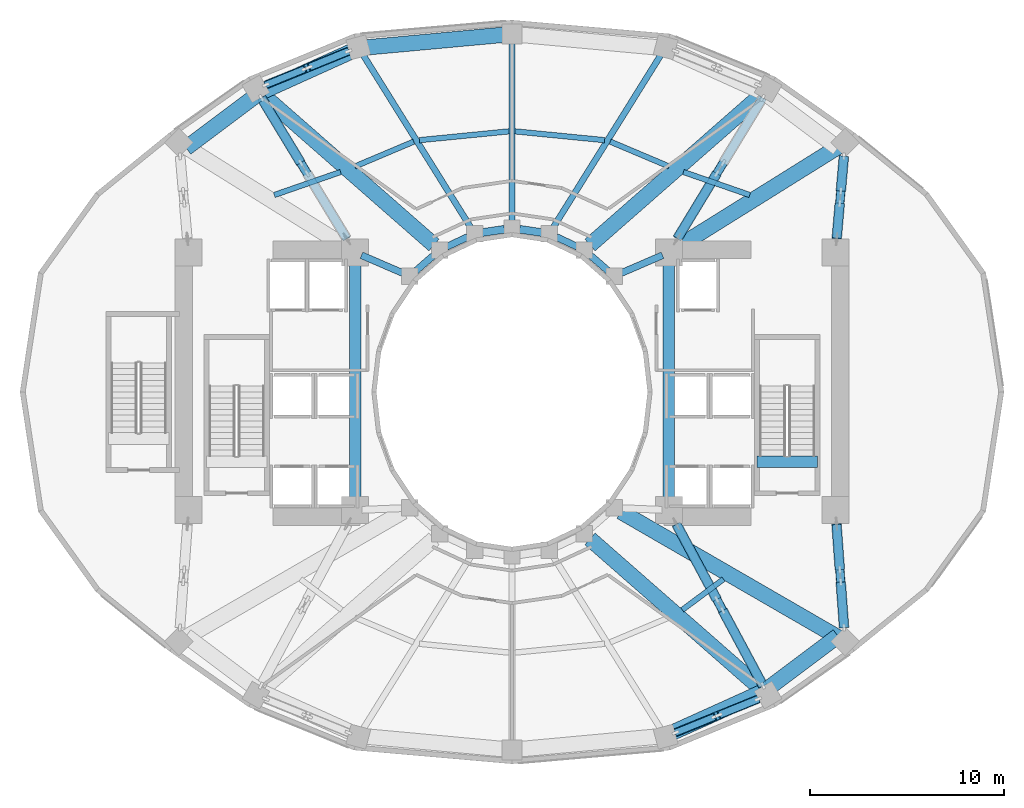
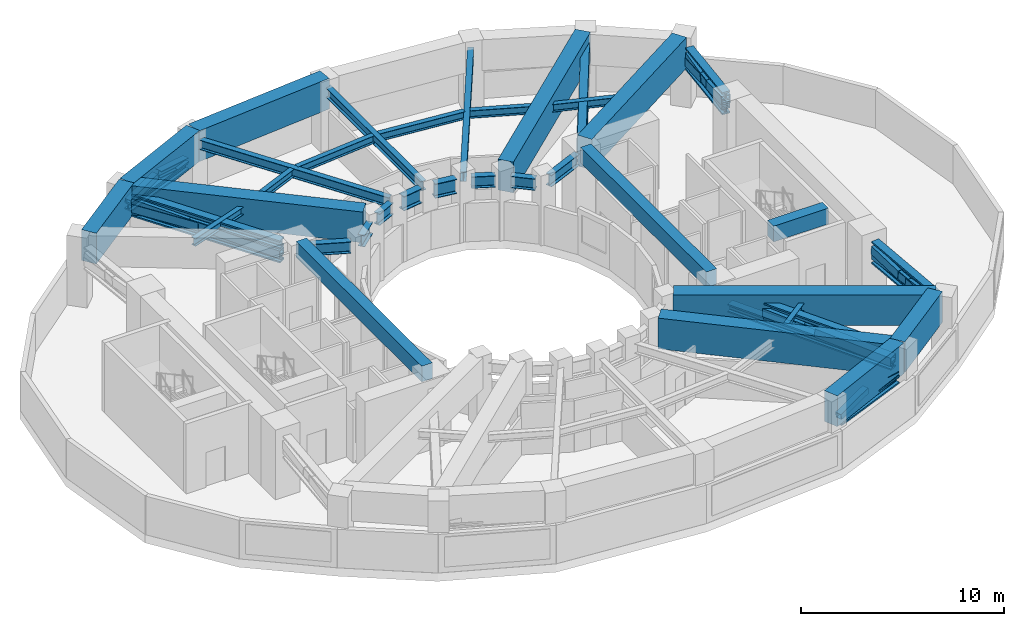
# One storey, part 2 of 10: 43 beams, 17 members.
"""IFC4 building model written with IfcOpenShell, lengths in metres."""

from ifc_helpers import new_model, si_unit, direction, frame, origin, origin_2d, place, context, subcontext, project, spatial, rectangle, hollow_rectangle, i_section, extrude, material, material_profile, profile_set, type_object, element, save


model = new_model("IFC4")

# Units and contexts
model_context = context("Model", 3, precision=1e-05, world=origin(), true_north=direction((0.0, 1.0)))
body_context = subcontext(model_context, "Body", "Model", "MODEL_VIEW")
ifc_project = project(units=[si_unit("LENGTHUNIT", "METRE"), si_unit("AREAUNIT", "SQUARE_METRE"), si_unit("VOLUMEUNIT", "CUBIC_METRE"), si_unit("PLANEANGLEUNIT", "RADIAN"), si_unit("MASSUNIT", "GRAM", prefix="KILO")], contexts=[model_context])

# Site, building, storey
site_placement = place(None, origin())
site = spatial("IfcSite", under=ifc_project, at=site_placement, CompositionType="ELEMENT")
building_placement = place(site_placement, origin())
building = spatial("IfcBuilding", under=site, at=building_placement, Name="Solvane Sanctuary Tower", CompositionType="ELEMENT")
storey_placement = place(building_placement, frame((0.0, 0.0, 64.800048828125)))
storey = spatial("IfcBuildingStorey", under=building, at=storey_placement, Name="L19", CompositionType="ELEMENT", Elevation=64.800048828125)

# Beams
ifc_material_1 = material(Name="Steel ASTM A913 Grade 65", Category="steel")
ifc_material_profile_1 = material_profile(ifc_material_1, i_section(OverallWidth=0.403076171875, OverallDepth=0.867919921875, WebThickness=0.02099609375, FlangeThickness=0.03564453125, FilletRadius=0.02197265625, at=origin_2d()), Name="W33X241")
ifc_profile_set_1 = profile_set([ifc_material_profile_1], Name="Steel ASTM A913 Grade 65")
beam_type_1 = type_object("IfcBeamType", Name="Beam B-BELT-CH W33X241", PredefinedType="BEAM", material=ifc_profile_set_1)
for number, where, z_axis, x_axis, name in (
    (1, (30.4599609375, 31.22998046875, 3.263916015625), (0.989034751611, 0.147682971619, 0.0), (-0.147682971619, 0.989034751611, 0.0), "L19 Inner Belt Chord IC05-IC04"),
    (2, (32.390625, 31.401611328125, 3.263916015625), (0.989034751611, -0.147682971619, 0.0), (0.147682971619, 0.989034751611, 0.0), "L19 Inner Belt Chord IC04-IC03"),
):
    element("IfcBeam", number, at=place(storey_placement, frame(where, z_axis=z_axis, x_axis=x_axis)), inside=storey, type_object=beam_type_1, Name=name, PredefinedType="BEAM", context=body_context, shape_type="SweptSolid", body=[
        extrude(i_section(OverallWidth=0.403076171875, OverallDepth=0.867919921875, WebThickness=0.02099609375, FlangeThickness=0.03564453125, FilletRadius=0.02197265625, at=origin_2d()), origin(), (0.0, 0.0, 1.0), 1.162109375),
    ])
ifc_material_2 = material(Name="Concrete C70/85", Category="concrete")
ifc_material_profile_2 = material_profile(ifc_material_2, rectangle(XDim=0.60009765625, YDim=0.949951171875, at=origin_2d()), Name="RC600X950")
ifc_profile_set_2 = profile_set([ifc_material_profile_2], Name="Concrete C70/85")
beam_type_2 = type_object("IfcBeamType", Name="Beam B-COUPLE RC600X950", PredefinedType="LINTEL", material=ifc_profile_set_2)
for number, where, z_axis, x_axis, name in (
    (3, (23.89990234375, 17.35009765625, 3.724853515625), (0.0, 1.0, 0.0), (-1.0, 0.0, 0.0), "L19 West Core Coupling Lintel"),
    (4, (40.10009765625, 17.35009765625, 3.724853515625), (0.0, 1.0, 0.0), (-1.0, 0.0, 0.0), "L19 East Core Coupling Lintel"),
):
    element("IfcBeam", number, at=place(storey_placement, frame(where, z_axis=z_axis, x_axis=x_axis)), inside=storey, type_object=beam_type_2, Name=name, PredefinedType="LINTEL", context=body_context, shape_type="SweptSolid", body=[
        extrude(rectangle(XDim=0.60009765625, YDim=0.949951171875, at=origin_2d()), origin(), (0.0, 0.0, 1.0), 12.39990234375),
    ])
beam_1_placement = place(storey_placement, frame((44.64990234375, 19.399169921875, 3.724853515625), z_axis=(1.0, 0.0, 0.0), x_axis=(0.0, 1.0, 0.0)))
element("IfcBeam", 5, at=beam_1_placement, inside=storey, type_object=beam_type_2, Name="L19 ST-2 Stair Floor Landing Trimmer", PredefinedType="LINTEL", context=body_context, shape_type="SweptSolid", body=[
    extrude(rectangle(XDim=0.60009765625, YDim=0.949951171875, at=origin_2d()), origin(), (0.0, 0.0, 1.0), 3.1201171875),
])
ifc_material_profile_3 = material_profile(ifc_material_1, i_section(OverallWidth=0.431884765625, OverallDepth=0.498046875, WebThickness=0.0556640625, FlangeThickness=0.0888671875, FilletRadius=0.02490234375, at=origin_2d()), Name="W14X500")
ifc_profile_set_3 = profile_set([ifc_material_profile_3], Name="Steel ASTM A913 Grade 65")
beam_type_3 = type_object("IfcBeamType", Name="Beam B-OUTR-CH W14X500", PredefinedType="BEAM", material=ifc_profile_set_3)
for number, where, z_axis, x_axis, name in (
    (6, (23.470458984375, 30.90869140625, 3.448974609375), (-0.518458029934, 0.855103076358, 0.0), (-0.855103076358, -0.518458029934, 0.0), "L19 Outrigger Top Chord OW2"),
    (7, (23.470458984375, 30.90869140625, 2.60986328125), (-0.518458029934, 0.855103076358, 0.0), (-0.855103076358, -0.518458029934, 0.0), "L19 Outrigger Bottom Chord OW2"),
):
    element("IfcBeam", number, at=place(storey_placement, frame(where, z_axis=z_axis, x_axis=x_axis)), inside=storey, type_object=beam_type_3, Name=name, PredefinedType="BEAM", context=body_context, shape_type="SweptSolid", body=[
        extrude(i_section(OverallWidth=0.431884765625, OverallDepth=0.498046875, WebThickness=0.0556640625, FlangeThickness=0.0888671875, FilletRadius=0.02490234375, at=origin_2d()), origin(), (0.0, 0.0, 1.0), 8.5146484375),
    ])
for number, where, z_axis, x_axis, name in (
    (8, (48.761962890625, 30.909912109375, 3.448974609375), (0.086870351336, 0.996219625413, 0.0), (-0.996219625413, 0.086870351336, 0.0), "L19 Outrigger Top Chord OE1"),
    (9, (48.761962890625, 30.909912109375, 2.60986328125), (0.086870351336, 0.996219625413, 0.0), (-0.996219625413, 0.086870351336, 0.0), "L19 Outrigger Bottom Chord OE1"),
):
    element("IfcBeam", number, at=place(storey_placement, frame(where, z_axis=z_axis, x_axis=x_axis)), inside=storey, type_object=beam_type_3, Name=name, PredefinedType="BEAM", context=body_context, shape_type="SweptSolid", body=[
        extrude(i_section(OverallWidth=0.431884765625, OverallDepth=0.498046875, WebThickness=0.0556640625, FlangeThickness=0.0888671875, FilletRadius=0.02490234375, at=origin_2d()), origin(), (0.0, 0.0, 1.0), 4.28857421875),
    ])
for number, where, z_axis, x_axis, name in (
    (10, (40.529541015625, 30.90869140625, 3.448974609375), (0.518458029934, 0.855103076358, 0.0), (-0.855103076358, 0.518458029934, 0.0), "L19 Outrigger Top Chord OE2"),
    (11, (40.529541015625, 30.90869140625, 2.60986328125), (0.518458029934, 0.855103076358, 0.0), (-0.855103076358, 0.518458029934, 0.0), "L19 Outrigger Bottom Chord OE2"),
):
    element("IfcBeam", number, at=place(storey_placement, frame(where, z_axis=z_axis, x_axis=x_axis)), inside=storey, type_object=beam_type_3, Name=name, PredefinedType="BEAM", context=body_context, shape_type="SweptSolid", body=[
        extrude(i_section(OverallWidth=0.431884765625, OverallDepth=0.498046875, WebThickness=0.0556640625, FlangeThickness=0.0888671875, FilletRadius=0.02490234375, at=origin_2d()), origin(), (0.0, 0.0, 1.0), 8.5146484375),
    ])
for number, where, z_axis, x_axis, name in (
    (12, (48.751953125, 16.18994140625, 3.448974609375), (0.072821438964, -0.997344994486, 0.0), (0.997344994486, 0.072821438964, 0.0), "L19 Outrigger Top Chord OE3"),
    (13, (48.751953125, 16.18994140625, 2.60986328125), (0.072821438964, -0.997344994486, 0.0), (0.997344994486, 0.072821438964, 0.0), "L19 Outrigger Bottom Chord OE3"),
):
    element("IfcBeam", number, at=place(storey_placement, frame(where, z_axis=z_axis, x_axis=x_axis)), inside=storey, type_object=beam_type_3, Name=name, PredefinedType="BEAM", context=body_context, shape_type="SweptSolid", body=[
        extrude(i_section(OverallWidth=0.431884765625, OverallDepth=0.498046875, WebThickness=0.0556640625, FlangeThickness=0.0888671875, FilletRadius=0.02490234375, at=origin_2d()), origin(), (0.0, 0.0, 1.0), 5.37744140625),
    ])
for number, where, z_axis, x_axis, name in (
    (14, (40.480224609375, 16.191162109375, 3.448974609375), (0.472722258165, -0.881211476682, 0.0), (0.881211476682, 0.472722258165, 0.0), "L19 Outrigger Top Chord OE4"),
    (15, (40.480224609375, 16.191162109375, 2.60986328125), (0.472722258165, -0.881211476682, 0.0), (0.881211476682, 0.472722258165, 0.0), "L19 Outrigger Bottom Chord OE4"),
):
    element("IfcBeam", number, at=place(storey_placement, frame(where, z_axis=z_axis, x_axis=x_axis)), inside=storey, type_object=beam_type_3, Name=name, PredefinedType="BEAM", context=body_context, shape_type="SweptSolid", body=[
        extrude(i_section(OverallWidth=0.431884765625, OverallDepth=0.498046875, WebThickness=0.0556640625, FlangeThickness=0.0888671875, FilletRadius=0.02490234375, at=origin_2d()), origin(), (0.0, 0.0, 1.0), 9.49462890625),
    ])
for number, where, z_axis, x_axis, name in (
    (16, (19.27880859375, 38.8505859375, 2.300048828125), (0.926448767062, 0.37642088413, 0.0), (-0.37642088413, 0.926448767062, 0.0), "L19 Belt Truss Bottom Chord 06-05"),
    (17, (40.430908203125, 5.40625, 2.300048828125), (0.926448767062, 0.37642088413, 0.0), (-0.37642088413, 0.926448767062, 0.0), "L19 Belt Truss Bottom Chord 12-13"),
):
    element("IfcBeam", number, at=place(storey_placement, frame(where, z_axis=z_axis, x_axis=x_axis)), inside=storey, type_object=beam_type_3, Name=name, PredefinedType="BEAM", context=body_context, shape_type="SweptSolid", body=[
        extrude(i_section(OverallWidth=0.431884765625, OverallDepth=0.498046875, WebThickness=0.0556640625, FlangeThickness=0.0888671875, FilletRadius=0.02490234375, at=origin_2d()), origin(), (0.0, 0.0, 1.0), 4.630859375),
    ])
ifc_material_3 = material(Name="Steel ASTM A992 Grade 50", Category="steel")
ifc_material_profile_4 = material_profile(ifc_material_3, i_section(OverallWidth=0.31494140625, OverallDepth=0.575927734375, WebThickness=0.01513671875, FlangeThickness=0.0244140625, FilletRadius=0.014892578125, at=origin_2d()), Name="W21X122")
ifc_profile_set_4 = profile_set([ifc_material_profile_4], Name="Steel ASTM A992 Grade 50")
beam_type_4 = type_object("IfcBeamType", Name="Beam B-RAD-Z2 W21X122", PredefinedType="BEAM", material=ifc_profile_set_4)
beam_2_placement = place(storey_placement, frame((34.078857421875, 31.4091796875, 3.409912109375), z_axis=(0.529058325657, 0.848585463022, 0.0), x_axis=(-0.848585463022, 0.529058325657, 0.0)))
element("IfcBeam", 18, at=beam_2_placement, inside=storey, type_object=beam_type_4, Name="L19 Radial Composite Floor Beam 03", PredefinedType="BEAM", context=body_context, shape_type="SweptSolid", body=[
    extrude(i_section(OverallWidth=0.31494140625, OverallDepth=0.575927734375, WebThickness=0.01513671875, FlangeThickness=0.0244140625, FilletRadius=0.014892578125, at=origin_2d()), origin(), (0.0, 0.0, 1.0), 10.782470703125),
])
beam_3_placement = place(storey_placement, frame((32.0, 31.739990234375, 3.409912109375), z_axis=(0.0, 1.0, 0.0), x_axis=(-1.0, 0.0, 0.0)))
element("IfcBeam", 19, at=beam_3_placement, inside=storey, type_object=beam_type_4, Name="L19 Radial Composite Floor Beam 04", PredefinedType="BEAM", context=body_context, shape_type="SweptSolid", body=[
    extrude(i_section(OverallWidth=0.31494140625, OverallDepth=0.575927734375, WebThickness=0.01513671875, FlangeThickness=0.0244140625, FilletRadius=0.014892578125, at=origin_2d()), origin(), (0.0, 0.0, 1.0), 9.4599609375),
])
beam_4_placement = place(storey_placement, frame((29.921142578125, 31.4091796875, 3.409912109375), z_axis=(-0.529058325657, 0.848585463022, 0.0), x_axis=(-0.848585463022, -0.529058325657, 0.0)))
element("IfcBeam", 20, at=beam_4_placement, inside=storey, type_object=beam_type_4, Name="L19 Radial Composite Floor Beam 05", PredefinedType="BEAM", context=body_context, shape_type="SweptSolid", body=[
    extrude(i_section(OverallWidth=0.31494140625, OverallDepth=0.575927734375, WebThickness=0.01513671875, FlangeThickness=0.0244140625, FilletRadius=0.014892578125, at=origin_2d()), origin(), (0.0, 0.0, 1.0), 10.782470703125),
])
ifc_material_profile_5 = material_profile(ifc_material_3, i_section(OverallWidth=0.35498046875, OverallDepth=0.695068359375, WebThickness=0.015380859375, FlangeThickness=0.02490234375, FilletRadius=0.01806640625, at=origin_2d()), Name="W27X146")
ifc_profile_set_5 = profile_set([ifc_material_profile_5], Name="Steel ASTM A992 Grade 50")
beam_type_5 = type_object("IfcBeamType", Name="Beam B-RING-IN1 W27X146", PredefinedType="BEAM", material=ifc_profile_set_5)
beam_5_placement = place(storey_placement, frame((24.230712890625, 30.0576171875, 3.350341796875), z_axis=(0.918261456479, -0.3959746173, 0.0), x_axis=(0.3959746173, 0.918261456479, 0.0)))
element("IfcBeam", 21, at=beam_5_placement, inside=storey, type_object=beam_type_5, Name="L19 Inner Light-Well Ring Beam CW3-IC07", PredefinedType="BEAM", context=body_context, shape_type="SweptSolid", body=[
    extrude(i_section(OverallWidth=0.35498046875, OverallDepth=0.695068359375, WebThickness=0.015380859375, FlangeThickness=0.02490234375, FilletRadius=0.01806640625, at=origin_2d()), origin(), (0.0, 0.0, 1.0), 2.3212890625),
])
beam_6_placement = place(storey_placement, frame((27.02294921875, 29.241455078125, 3.350341796875), z_axis=(0.754317177099, 0.656510164684, 0.0), x_axis=(-0.656510164684, 0.754317177099, 0.0)))
element("IfcBeam", 22, at=beam_6_placement, inside=storey, type_object=beam_type_5, Name="L19 Inner Light-Well Ring Beam IC07-IC06", PredefinedType="BEAM", context=body_context, shape_type="SweptSolid", body=[
    extrude(i_section(OverallWidth=0.35498046875, OverallDepth=0.695068359375, WebThickness=0.015380859375, FlangeThickness=0.02490234375, FilletRadius=0.01806640625, at=origin_2d()), origin(), (0.0, 0.0, 1.0), 1.258056640625),
])
for number, where, z_axis, x_axis, name in (
    (23, (28.62744140625, 30.494384765625, 3.350341796875), (0.905044882818, 0.425316070804, 0.0), (-0.425316070804, 0.905044882818, 0.0), "L19 Inner Light-Well Ring Beam IC06-IC05"),
    (24, (34.288330078125, 31.00390625, 3.350341796875), (0.905044882818, -0.425316070804, 0.0), (0.425316070804, 0.905044882818, 0.0), "L19 Inner Light-Well Ring Beam IC03-IC02"),
):
    element("IfcBeam", number, at=place(storey_placement, frame(where, z_axis=z_axis, x_axis=x_axis)), inside=storey, type_object=beam_type_5, Name=name, PredefinedType="BEAM", context=body_context, shape_type="SweptSolid", body=[
        extrude(i_section(OverallWidth=0.35498046875, OverallDepth=0.695068359375, WebThickness=0.015380859375, FlangeThickness=0.02490234375, FilletRadius=0.01806640625, at=origin_2d()), origin(), (0.0, 0.0, 1.0), 1.197998046875),
    ])
beam_7_placement = place(storey_placement, frame((36.028076171875, 30.0673828125, 3.350341796875), z_axis=(0.754317177099, -0.656510164684, 0.0), x_axis=(0.656510164684, 0.754317177099, 0.0)))
element("IfcBeam", 25, at=beam_7_placement, inside=storey, type_object=beam_type_5, Name="L19 Inner Light-Well Ring Beam IC02-IC01", PredefinedType="BEAM", context=body_context, shape_type="SweptSolid", body=[
    extrude(i_section(OverallWidth=0.35498046875, OverallDepth=0.695068359375, WebThickness=0.015380859375, FlangeThickness=0.02490234375, FilletRadius=0.01806640625, at=origin_2d()), origin(), (0.0, 0.0, 1.0), 1.258056640625),
])
beam_8_placement = place(storey_placement, frame((37.6376953125, 29.138427734375, 3.350341796875), z_axis=(0.918261456479, 0.3959746173, 0.0), x_axis=(-0.3959746173, 0.918261456479, 0.0)))
element("IfcBeam", 26, at=beam_8_placement, inside=storey, type_object=beam_type_5, Name="L19 Inner Light-Well Ring Beam IC01-CE4", PredefinedType="BEAM", context=body_context, shape_type="SweptSolid", body=[
    extrude(i_section(OverallWidth=0.35498046875, OverallDepth=0.695068359375, WebThickness=0.015380859375, FlangeThickness=0.02490234375, FilletRadius=0.01806640625, at=origin_2d()), origin(), (0.0, 0.0, 1.0), 2.3212890625),
])
ifc_material_profile_6 = material_profile(ifc_material_3, i_section(OverallWidth=0.280029296875, OverallDepth=0.462890625, WebThickness=0.0107421875, FlangeThickness=0.017333984375, FilletRadius=0.013916015625, at=origin_2d()), Name="W18X76")
ifc_profile_set_6 = profile_set([ifc_material_profile_6], Name="Steel ASTM A992 Grade 50")
beam_type_6 = type_object("IfcBeamType", Name="Beam B-SEC-JOIST W18X76", PredefinedType="JOIST", material=ifc_profile_set_6)
beam_9_placement = place(storey_placement, frame((19.7255859375, 33.167236328125, 3.466552734375), z_axis=(0.944608455071, 0.328199431151, 0.0), x_axis=(-0.328199431151, 0.944608455071, 0.0)))
element("IfcBeam", 27, at=beam_9_placement, inside=storey, type_object=beam_type_6, Name="L19 Secondary Circumferential Joist 07-06", PredefinedType="JOIST", context=body_context, shape_type="SweptSolid", body=[
    extrude(i_section(OverallWidth=0.280029296875, OverallDepth=0.462890625, WebThickness=0.0107421875, FlangeThickness=0.017333984375, FilletRadius=0.013916015625, at=origin_2d()), origin(), (0.0, 0.0, 1.0), 3.62646484375),
])
beam_10_placement = place(storey_placement, frame((23.88818359375, 34.640625, 3.466552734375), z_axis=(0.921183568774, 0.389128298406, 0.0), x_axis=(-0.389128298406, 0.921183568774, 0.0)))
element("IfcBeam", 28, at=beam_10_placement, inside=storey, type_object=beam_type_6, Name="L19 Secondary Circumferential Joist 06-05", PredefinedType="JOIST", context=body_context, shape_type="SweptSolid", body=[
    extrude(i_section(OverallWidth=0.280029296875, OverallDepth=0.462890625, WebThickness=0.0107421875, FlangeThickness=0.017333984375, FilletRadius=0.013916015625, at=origin_2d()), origin(), (0.0, 0.0, 1.0), 3.300048828125),
])
for number, where, z_axis, x_axis, name in (
    (29, (27.220703125, 35.999267578125, 3.466552734375), (0.995183733328, 0.098027225394, 0.0), (-0.098027225394, 0.995183733328, 0.0), "L19 Secondary Circumferential Joist 05-04"),
    (30, (32.15185546875, 36.455078125, 3.466552734375), (0.995183733328, -0.098027225394, 0.0), (0.098027225394, 0.995183733328, 0.0), "L19 Secondary Circumferential Joist 04-03"),
):
    element("IfcBeam", number, at=place(storey_placement, frame(where, z_axis=z_axis, x_axis=x_axis)), inside=storey, type_object=beam_type_6, Name=name, PredefinedType="JOIST", context=body_context, shape_type="SweptSolid", body=[
        extrude(i_section(OverallWidth=0.280029296875, OverallDepth=0.462890625, WebThickness=0.0107421875, FlangeThickness=0.017333984375, FilletRadius=0.013916015625, at=origin_2d()), origin(), (0.0, 0.0, 1.0), 4.64990234375),
    ])
beam_11_placement = place(storey_placement, frame((37.07177734375, 35.9248046875, 3.466552734375), z_axis=(0.921183568774, -0.389128298406, 0.0), x_axis=(0.389128298406, 0.921183568774, 0.0)))
element("IfcBeam", 31, at=beam_11_placement, inside=storey, type_object=beam_type_6, Name="L19 Secondary Circumferential Joist 03-02", PredefinedType="JOIST", context=body_context, shape_type="SweptSolid", body=[
    extrude(i_section(OverallWidth=0.280029296875, OverallDepth=0.462890625, WebThickness=0.0107421875, FlangeThickness=0.017333984375, FilletRadius=0.013916015625, at=origin_2d()), origin(), (0.0, 0.0, 1.0), 3.300048828125),
])
beam_12_placement = place(storey_placement, frame((40.848876953125, 34.357421875, 3.466552734375), z_axis=(0.944608455071, -0.328199431151, 0.0), x_axis=(0.328199431151, 0.944608455071, 0.0)))
element("IfcBeam", 32, at=beam_12_placement, inside=storey, type_object=beam_type_6, Name="L19 Secondary Circumferential Joist 02-01", PredefinedType="JOIST", context=body_context, shape_type="SweptSolid", body=[
    extrude(i_section(OverallWidth=0.280029296875, OverallDepth=0.462890625, WebThickness=0.0107421875, FlangeThickness=0.017333984375, FilletRadius=0.013916015625, at=origin_2d()), origin(), (0.0, 0.0, 1.0), 3.62646484375),
])
beam_13_placement = place(storey_placement, frame((40.792236328125, 11.749267578125, 3.466552734375), z_axis=(0.801543729599, 0.597936158415, 0.0), x_axis=(-0.597936158415, 0.801543729599, 0.0)))
element("IfcBeam", 33, at=beam_13_placement, inside=storey, type_object=beam_type_6, Name="L19 Secondary Circumferential Joist 13-14", PredefinedType="JOIST", context=body_context, shape_type="SweptSolid", body=[
    extrude(i_section(OverallWidth=0.280029296875, OverallDepth=0.462890625, WebThickness=0.0107421875, FlangeThickness=0.017333984375, FilletRadius=0.013916015625, at=origin_2d()), origin(), (0.0, 0.0, 1.0), 2.65234375),
])
ifc_material_profile_7 = material_profile(ifc_material_2, rectangle(XDim=0.800048828125, YDim=1.85009765625, at=origin_2d()), Name="RC800X1850")
ifc_profile_set_7 = profile_set([ifc_material_profile_7], Name="Concrete C70/85")
beam_type_7 = type_object("IfcBeamType", Name="Beam B-XFER-BLK RC800X1850", PredefinedType="BEAM", material=ifc_profile_set_7)
beam_14_placement = place(storey_placement, frame((40.405517578125, 30.390625, 3.27490234375), z_axis=(0.848375589758, 0.529394804189, 0.0), x_axis=(-0.529394804189, 0.848375589758, 0.0)))
element("IfcBeam", 34, at=beam_14_placement, inside=storey, type_object=beam_type_7, Name="L19 Block-Shift Radial Transfer Girder 01A", PredefinedType="BEAM", context=body_context, shape_type="SweptSolid", body=[
    extrude(rectangle(XDim=0.800048828125, YDim=1.85009765625, at=origin_2d()), origin(), (0.0, 0.0, 1.0), 9.955322265625),
])
for number, where, z_axis, x_axis, name in (
    (35, (36.027099609375, 30.5869140625, 3.27490234375), (0.751966160897, 0.659201708785, 0.0), (-0.659201708785, 0.751966160897, 0.0), "L19 Block-Shift Radial Transfer Girder 02A"),
    (36, (27.972900390625, 30.5869140625, 3.27490234375), (-0.751966160897, 0.659201708785, 0.0), (-0.659201708785, -0.751966160897, 0.0), "L19 Block-Shift Radial Transfer Girder 06A"),
    (37, (36.027099609375, 15.4130859375, 3.27490234375), (0.751966160897, -0.659201708785, 0.0), (0.659201708785, 0.751966160897, 0.0), "L19 Block-Shift Radial Transfer Girder 13A"),
):
    element("IfcBeam", number, at=place(storey_placement, frame(where, z_axis=z_axis, x_axis=x_axis)), inside=storey, type_object=beam_type_7, Name=name, PredefinedType="BEAM", context=body_context, shape_type="SweptSolid", body=[
        extrude(rectangle(XDim=0.800048828125, YDim=1.85009765625, at=origin_2d()), origin(), (0.0, 0.0, 1.0), 11.822265625),
    ])
beam_15_placement = place(storey_placement, frame((37.616943359375, 16.8203125, 3.27490234375), z_axis=(0.865663325192, -0.500626614771, 0.0), x_axis=(0.500626614771, 0.865663325192, 0.0)))
element("IfcBeam", 38, at=beam_15_placement, inside=storey, type_object=beam_type_7, Name="L19 Block-Shift Radial Transfer Girder 14A", PredefinedType="BEAM", context=body_context, shape_type="SweptSolid", body=[
    extrude(rectangle(XDim=0.800048828125, YDim=1.85009765625, at=origin_2d()), origin(), (0.0, 0.0, 1.0), 12.969482421875),
])
beam_16_placement = place(storey_placement, frame((15.1748046875, 35.598388671875, 3.27490234375), z_axis=(0.800210613957, 0.599719078662, 0.0), x_axis=(-0.599719078662, 0.800210613957, 0.0)))
element("IfcBeam", 39, at=beam_16_placement, inside=storey, type_object=beam_type_7, Name="L19 Perimeter Step Transfer Ring NTC07-NTC06", PredefinedType="BEAM", context=body_context, shape_type="SweptSolid", body=[
    extrude(rectangle(XDim=0.800048828125, YDim=1.85009765625, at=origin_2d()), origin(), (0.0, 0.0, 1.0), 4.728271484375),
])
beam_17_placement = place(storey_placement, frame((18.95849609375, 38.43408203125, 3.27490234375), z_axis=(0.911310237902, 0.411720354483, 0.0), x_axis=(-0.411720354483, 0.911310237902, 0.0)))
element("IfcBeam", 40, at=beam_17_placement, inside=storey, type_object=beam_type_7, Name="L19 Perimeter Step Transfer Ring NTC06-NTC05", PredefinedType="BEAM", context=body_context, shape_type="SweptSolid", body=[
    extrude(rectangle(XDim=0.800048828125, YDim=1.85009765625, at=origin_2d()), origin(), (0.0, 0.0, 1.0), 5.629150390625),
])
beam_18_placement = place(storey_placement, frame((24.08837890625, 40.751708984375, 3.27490234375), z_axis=(0.995790055536, 0.091663325793, 0.0), x_axis=(-0.091663325793, 0.995790055536, 0.0)))
element("IfcBeam", 41, at=beam_18_placement, inside=storey, type_object=beam_type_7, Name="L19 Perimeter Step Transfer Ring NTC05-NTC04", PredefinedType="BEAM", context=body_context, shape_type="SweptSolid", body=[
    extrude(rectangle(XDim=0.800048828125, YDim=1.85009765625, at=origin_2d()), origin(), (0.0, 0.0, 1.0), 7.945068359375),
])
beam_19_placement = place(storey_placement, frame((39.91162109375, 5.248291015625, 3.27490234375), z_axis=(0.911310237902, 0.411720354483, 0.0), x_axis=(-0.411720354483, 0.911310237902, 0.0)))
element("IfcBeam", 42, at=beam_19_placement, inside=storey, type_object=beam_type_7, Name="L19 Perimeter Step Transfer Ring NTC12-NTC13", PredefinedType="BEAM", context=body_context, shape_type="SweptSolid", body=[
    extrude(rectangle(XDim=0.800048828125, YDim=1.85009765625, at=origin_2d()), origin(), (0.0, 0.0, 1.0), 5.629150390625),
])
beam_20_placement = place(storey_placement, frame((45.04150390625, 7.56591796875, 3.27490234375), z_axis=(0.800210613957, 0.599719078662, 0.0), x_axis=(-0.599719078662, 0.800210613957, 0.0)))
element("IfcBeam", 43, at=beam_20_placement, inside=storey, type_object=beam_type_7, Name="L19 Perimeter Step Transfer Ring NTC13-NTC14", PredefinedType="BEAM", context=body_context, shape_type="SweptSolid", body=[
    extrude(rectangle(XDim=0.800048828125, YDim=1.85009765625, at=origin_2d()), origin(), (0.0, 0.0, 1.0), 4.728271484375),
])

# Members
ifc_material_profile_8 = material_profile(ifc_material_1, hollow_rectangle(XDim=0.35009765625, YDim=0.35009765625, WallThickness=0.01611328125, at=origin_2d()), Name="HSS350X350X16")
ifc_profile_set_8 = profile_set([ifc_material_profile_8], Name="Steel ASTM A913 Grade 65")
member_type_1 = type_object("IfcMemberType", Name="Member M-BELT-DIAG HSS350X350X16", PredefinedType="BRACE", material=ifc_profile_set_8)
for number, where, z_axis, x_axis, name in (
    (44, (19.29248046875, 38.856201171875, 2.5517578125), (0.911571739627, 0.370370534913, 0.178501065495), (-0.37641587991, 0.926450800287, 0.0), "L19 Belt Truss Diagonal 06-05"),
    (45, (40.444580078125, 5.411865234375, 2.5517578125), (0.911571739627, 0.370370534913, 0.178501065495), (-0.37641587991, 0.926450800287, 0.0), "L19 Belt Truss Diagonal 12-13"),
):
    element("IfcMember", number, at=place(storey_placement, frame(where, z_axis=z_axis, x_axis=x_axis)), inside=storey, type_object=member_type_1, Name=name, PredefinedType="BRACE", context=body_context, shape_type="SweptSolid", body=[
        extrude(hollow_rectangle(XDim=0.35009765625, YDim=0.35009765625, WallThickness=0.01611328125, at=origin_2d()), origin(), (0.0, 0.0, 1.0), 2.22802734375),
    ])
ifc_material_profile_9 = material_profile(ifc_material_3, i_section(OverallWidth=0.3740234375, OverallDepth=0.3720703125, WebThickness=0.016357421875, FlangeThickness=0.026123046875, FilletRadius=0.02490234375, at=origin_2d()), Name="W14X132")
ifc_profile_set_9 = profile_set([ifc_material_profile_9], Name="Steel ASTM A992 Grade 50")
member_type_2 = type_object("IfcMemberType", Name="Member M-BELT-POST W14X132", PredefinedType="POST", material=ifc_profile_set_9)
for number, where, z_axis, x_axis, name in (
    (46, (21.524169921875, 39.7626953125, 2.949462890625), (0.911553267508, 0.370428076616, -0.178475994323), (-0.376472620709, 0.926427744542, 0.0), "L19 Belt Truss Web Strut 06-05"),
    (47, (42.67626953125, 6.318603515625, 2.949462890625), (0.911590259429, 0.370333542893, -0.178483237092), (-0.376377046956, 0.926466577122, 0.0), "L19 Belt Truss Web Strut 12-13"),
):
    element("IfcMember", number, at=place(storey_placement, frame(where, z_axis=z_axis, x_axis=x_axis)), inside=storey, type_object=member_type_2, Name=name, PredefinedType="POST", context=body_context, shape_type="SweptSolid", body=[
        extrude(i_section(OverallWidth=0.3740234375, OverallDepth=0.3720703125, WebThickness=0.016357421875, FlangeThickness=0.026123046875, FilletRadius=0.02490234375, at=origin_2d()), origin(), (0.0, 0.0, 1.0), 2.228271484375),
    ])
ifc_material_profile_10 = material_profile(ifc_material_1, hollow_rectangle(XDim=0.449951171875, YDim=0.449951171875, WallThickness=0.02001953125, at=origin_2d()), Name="HSS450X450X20")
ifc_profile_set_10 = profile_set([ifc_material_profile_10], Name="Steel ASTM A913 Grade 65")
member_type_3 = type_object("IfcMemberType", Name="Member M-OUTR-DIAG HSS450X450X20", PredefinedType="BRACE", material=ifc_profile_set_10)
member_1_placement = place(storey_placement, frame((23.4599609375, 30.92578125, 2.85986328125), z_axis=(-0.518019358292, 0.854432574582, 0.040011497445), x_axis=(-0.855117335946, -0.518434510585, 0.0)))
element("IfcMember", 48, at=member_1_placement, inside=storey, type_object=member_type_3, Name="L19 Outrigger Truss Diagonal OW2", PredefinedType="BRACE", context=body_context, shape_type="SweptSolid", body=[
    extrude(hollow_rectangle(XDim=0.449951171875, YDim=0.449951171875, WallThickness=0.02001953125, at=origin_2d()), origin(), (0.0, 0.0, 1.0), 8.4814453125),
])
member_2_placement = place(storey_placement, frame((48.763671875, 30.929931640625, 2.860595703125), z_axis=(0.086609473239, 0.993087590973, 0.079220172943), x_axis=(-0.996218563133, 0.086882532587, 0.0)))
element("IfcMember", 49, at=member_2_placement, inside=storey, type_object=member_type_3, Name="L19 Outrigger Truss Diagonal OE1", PredefinedType="BRACE", context=body_context, shape_type="SweptSolid", body=[
    extrude(hollow_rectangle(XDim=0.449951171875, YDim=0.449951171875, WallThickness=0.02001953125, at=origin_2d()), origin(), (0.0, 0.0, 1.0), 4.26220703125),
])
member_3_placement = place(storey_placement, frame((40.5400390625, 30.92578125, 2.85986328125), z_axis=(0.518019358292, 0.854432574582, 0.040011497445), x_axis=(-0.855117335946, 0.518434510585, 0.0)))
element("IfcMember", 50, at=member_3_placement, inside=storey, type_object=member_type_3, Name="L19 Outrigger Truss Diagonal OE2", PredefinedType="BRACE", context=body_context, shape_type="SweptSolid", body=[
    extrude(hollow_rectangle(XDim=0.449951171875, YDim=0.449951171875, WallThickness=0.02001953125, at=origin_2d()), origin(), (0.0, 0.0, 1.0), 8.4814453125),
])
member_4_placement = place(storey_placement, frame((48.75341796875, 16.170166015625, 2.8603515625), z_axis=(0.072667773679, -0.99534765882, 0.063264782864), x_axis=(0.99734556422, 0.072813635616, 0.0)))
element("IfcMember", 51, at=member_4_placement, inside=storey, type_object=member_type_3, Name="L19 Outrigger Truss Diagonal OE3", PredefinedType="BRACE", context=body_context, shape_type="SweptSolid", body=[
    extrude(hollow_rectangle(XDim=0.449951171875, YDim=0.449951171875, WallThickness=0.02001953125, at=origin_2d()), origin(), (0.0, 0.0, 1.0), 5.3486328125),
])
member_5_placement = place(storey_placement, frame((40.489501953125, 16.173583984375, 2.859619140625), z_axis=(0.4724225847, -0.880640909241, 0.035895548988), x_axis=(0.881208806793, 0.472727235127, 0.0)))
element("IfcMember", 52, at=member_5_placement, inside=storey, type_object=member_type_3, Name="L19 Outrigger Truss Diagonal OE4", PredefinedType="BRACE", context=body_context, shape_type="SweptSolid", body=[
    extrude(hollow_rectangle(XDim=0.449951171875, YDim=0.449951171875, WallThickness=0.02001953125, at=origin_2d()), origin(), (0.0, 0.0, 1.0), 9.460693359375),
])
ifc_material_profile_11 = material_profile(ifc_material_1, hollow_rectangle(XDim=0.5, YDim=0.5, WallThickness=0.02490234375, at=origin_2d()), Name="HSS500X500X25")
ifc_profile_set_11 = profile_set([ifc_material_profile_11], Name="Steel ASTM A913 Grade 65")
member_type_4 = type_object("IfcMemberType", Name="Member M-POD-DIAG HSS500X500X25", PredefinedType="BRACE", material=ifc_profile_set_11)
member_6_placement = place(storey_placement, frame((19.06640625, 38.172607421875, 2.85986328125), z_axis=(0.518016633059, -0.854434039128, 0.040015505157), x_axis=(0.855118939014, 0.518431866438, 0.0)))
element("IfcMember", 53, at=member_6_placement, inside=storey, type_object=member_type_4, Name="L19 Outrigger Counter-Diagonal Lower Half OW2", PredefinedType="BRACE", context=body_context, shape_type="SweptSolid", body=[
    extrude(hollow_rectangle(XDim=0.5, YDim=0.5, WallThickness=0.02490234375, at=origin_2d()), origin(), (0.0, 0.0, 1.0), 3.910888671875),
])
member_7_placement = place(storey_placement, frame((49.1328125, 35.16259765625, 2.860595703125), z_axis=(-0.086609296901, -0.993092830042, 0.079154662583), x_axis=(0.996218618116, -0.086881902139, 0.0)))
element("IfcMember", 54, at=member_7_placement, inside=storey, type_object=member_type_4, Name="L19 Outrigger Counter-Diagonal Lower Half OE1", PredefinedType="BRACE", context=body_context, shape_type="SweptSolid", body=[
    extrude(hollow_rectangle(XDim=0.5, YDim=0.5, WallThickness=0.02490234375, at=origin_2d()), origin(), (0.0, 0.0, 1.0), 1.80126953125),
])
member_8_placement = place(storey_placement, frame((48.919677734375, 32.718505859375, 3.0556640625), z_axis=(-0.086620956298, -0.993090963753, 0.079165318432), x_axis=(0.996217591577, -0.086893671993, 0.0)))
element("IfcMember", 55, at=member_8_placement, inside=storey, type_object=member_type_4, Name="L19 Outrigger Counter-Diagonal Upper Half OE1", PredefinedType="BRACE", context=body_context, shape_type="SweptSolid", body=[
    extrude(hollow_rectangle(XDim=0.5, YDim=0.5, WallThickness=0.02490234375, at=origin_2d()), origin(), (0.0, 0.0, 1.0), 1.801025390625),
])
member_9_placement = place(storey_placement, frame((42.56591796875, 34.26708984375, 3.042724609375), z_axis=(-0.518044265001, -0.854417186166, 0.040017639656), x_axis=(0.855102145699, -0.518459564885, 0.0)))
element("IfcMember", 56, at=member_9_placement, inside=storey, type_object=member_type_4, Name="L19 Outrigger Counter-Diagonal Upper Half OE2", PredefinedType="BRACE", context=body_context, shape_type="SweptSolid", body=[
    extrude(hollow_rectangle(XDim=0.5, YDim=0.5, WallThickness=0.02490234375, at=origin_2d()), origin(), (0.0, 0.0, 1.0), 3.91064453125),
])
for number, where, z_axis, x_axis, name in (
    (57, (49.14208984375, 10.846435546875, 2.8603515625), (-0.072695752283, 0.995348573878, 0.063218225839), (-0.997343532804, -0.072841455048, 0.0), "L19 Outrigger Counter-Diagonal Lower Half OE3"),
    (58, (48.923583984375, 13.8369140625, 3.05029296875), (-0.072591674506, 0.995349545564, 0.063322436298), (-0.99735110881, -0.072737650187, 0.0), "L19 Outrigger Counter-Diagonal Upper Half OE3"),
):
    element("IfcMember", number, at=place(storey_placement, frame(where, z_axis=z_axis, x_axis=x_axis)), inside=storey, type_object=member_type_4, Name=name, PredefinedType="BRACE", context=body_context, shape_type="SweptSolid", body=[
        extrude(hollow_rectangle(XDim=0.5, YDim=0.5, WallThickness=0.02490234375, at=origin_2d()), origin(), (0.0, 0.0, 1.0), 2.34423828125),
    ])
for number, where, z_axis, x_axis, name in (
    (59, (44.958984375, 7.842041015625, 2.859619140625), (-0.47241737528, 0.880643687353, 0.035895953236), (-0.8812115995, -0.472722029216, 0.0), "L19 Outrigger Counter-Diagonal Lower Half OE4"),
    (60, (42.568359375, 12.29833984375, 3.041259765625), (-0.47241737528, 0.880643687353, 0.035895953236), (-0.8812115995, -0.472722029216, 0.0), "L19 Outrigger Counter-Diagonal Upper Half OE4"),
):
    element("IfcMember", number, at=place(storey_placement, frame(where, z_axis=z_axis, x_axis=x_axis)), inside=storey, type_object=member_type_4, Name=name, PredefinedType="BRACE", context=body_context, shape_type="SweptSolid", body=[
        extrude(hollow_rectangle(XDim=0.5, YDim=0.5, WallThickness=0.02490234375, at=origin_2d()), origin(), (0.0, 0.0, 1.0), 4.400390625),
    ])

save(model, "model.ifc")
